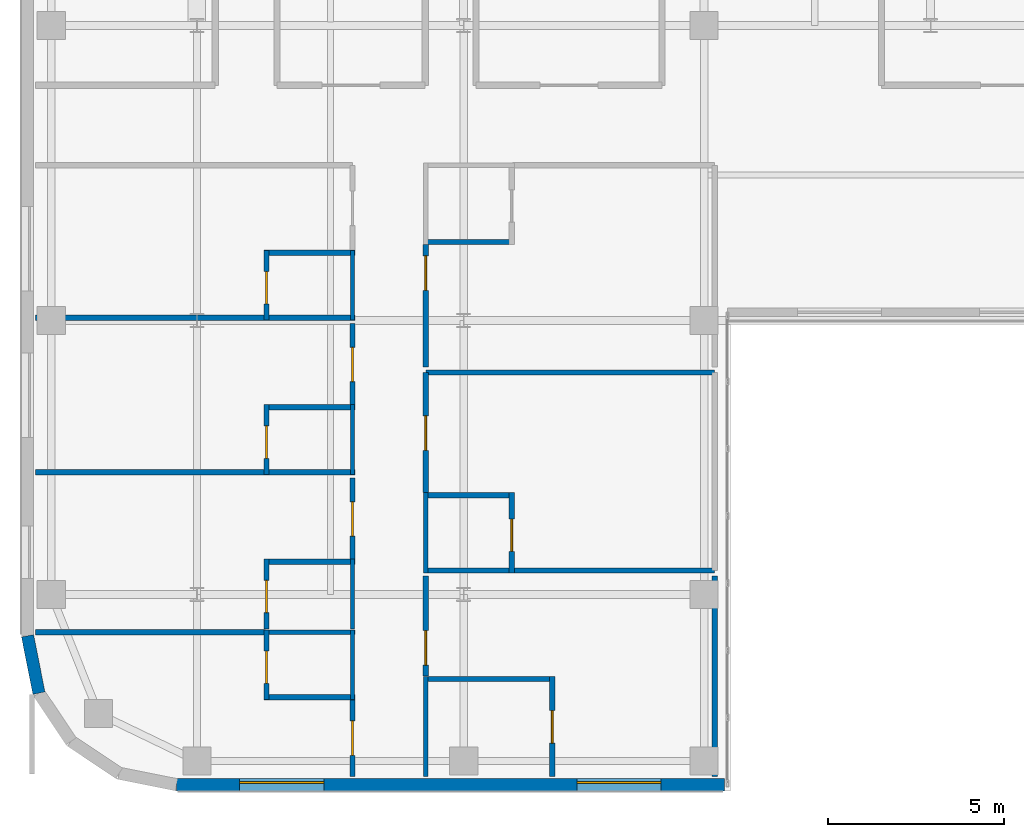
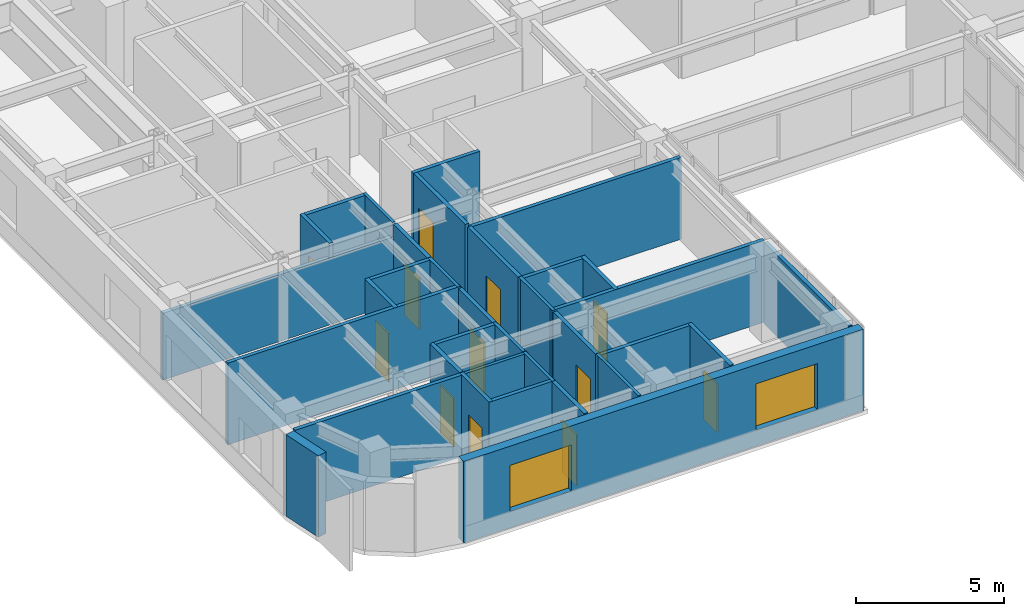
# One storey, part 9 of 20: 34 walls, 12 doors, 2 windows, 14 openings.
"""IFC4 building model written with IfcOpenShell, lengths in metres."""

import ifcopenshell
import ifcopenshell.guid

model = None  # the IFC model being written
_history = None  # IfcOwnerHistory: only IFC2X3 demands one
_inside = {}  # id of a spatial element -> (the spatial element, [elements in it])
_under = {}  # id of a project, library or spatial element -> (it, [spatial elements below it])
_declared = {}  # id of a project -> (the project, [libraries it declares])
_typed = {}  # id of a type object -> (the type object, [elements of that type])
_made_of = {}  # id of a material, layer set ... -> (it, [elements and type objects made of it])


def new_model(schema):
    """Start an empty IFC model of exactly this schema.

    Asked for "IFC4X3", IfcOpenShell would pick the latest addendum, in which some entities
    have other attributes; the version numbers below select the first issue.
    IFC2X3 requires an IfcOwnerHistory on every rooted entity: one is made here for all.
    """
    global model, _history
    if schema == "IFC4X3":
        model = ifcopenshell.file(schema_version=(4, 3, 0, 0))
    else:
        model = ifcopenshell.file(schema=schema)
    _inside.clear()
    _under.clear()
    _declared.clear()
    _typed.clear()
    _made_of.clear()
    _history = None
    if model.schema == "IFC2X3":
        org = make("IfcOrganization", Name="unknown")
        user = make(
            "IfcPersonAndOrganization",
            ThePerson=make("IfcPerson", FamilyName="unknown"),
            TheOrganization=org,
        )
        app = make(
            "IfcApplication",
            ApplicationDeveloper=org,
            Version="unknown",
            ApplicationFullName="unknown",
            ApplicationIdentifier="unknown",
        )
        _history = make(
            "IfcOwnerHistory",
            OwningUser=user,
            OwningApplication=app,
            ChangeAction="ADDED",
            CreationDate=0,
        )
    return model


def make(cls, **values):
    """One entity of the class cls with the attributes given. An attribute that is None is left unset."""
    return model.create_entity(
        cls, **{name: value for name, value in values.items() if value is not None}
    )


def rooted(cls, **values):
    """An entity with a GlobalId (a new one), such as an element, a storey or a relation."""
    return make(cls, GlobalId=ifcopenshell.guid.new(), OwnerHistory=_history, **values)


def si_unit(unit_type, name, prefix=None):
    """IfcSIUnit, for example si_unit("LENGTHUNIT", "METRE", prefix="MILLI")."""
    return make("IfcSIUnit", UnitType=unit_type, Prefix=prefix, Name=name)


def assignment(units):
    """IfcUnitAssignment: the units of a project."""
    return None if units is None else make("IfcUnitAssignment", Units=units)


def point(xyz):
    """IfcCartesianPoint."""
    return None if xyz is None else make("IfcCartesianPoint", Coordinates=xyz)


def direction(xyz):
    """IfcDirection."""
    return None if xyz is None else make("IfcDirection", DirectionRatios=xyz)


def frame(location, z_axis=None, x_axis=None):
    """IfcAxis2Placement3D, a coordinate frame: its origin and axes. An axis left out is left unset."""
    return make(
        "IfcAxis2Placement3D",
        Location=point(location),
        Axis=direction(z_axis),
        RefDirection=direction(x_axis),
    )


def frame_2d(location, x_axis=None):
    """IfcAxis2Placement2D, a coordinate frame in the plane: its origin and x axis."""
    return make(
        "IfcAxis2Placement2D", Location=point(location), RefDirection=direction(x_axis)
    )


def origin():
    """The frame at (0, 0, 0) with its axes left unset."""
    return frame((0.0, 0.0, 0.0))


def place(relative_to, where):
    """IfcLocalPlacement: puts the frame where relative to a parent placement (None: the world)."""
    return make(
        "IfcLocalPlacement", PlacementRelTo=relative_to, RelativePlacement=where
    )


def context(
    kind, dimensions, precision=None, world=None, true_north=None, identifier=None
):
    """IfcGeometricRepresentationContext, for example the 3D "Model" context."""
    return make(
        "IfcGeometricRepresentationContext",
        ContextIdentifier=identifier,
        ContextType=kind,
        CoordinateSpaceDimension=dimensions,
        Precision=precision,
        WorldCoordinateSystem=world,
        TrueNorth=true_north,
    )


def subcontext(parent, identifier, kind, view, scale=None):
    """IfcGeometricRepresentationSubContext, for example "Body" below "Model"."""
    return make(
        "IfcGeometricRepresentationSubContext",
        ContextIdentifier=identifier,
        ContextType=kind,
        ParentContext=parent,
        TargetScale=scale,
        TargetView=view,
    )


def project(units=None, contexts=None):
    """IfcProject with its units and contexts."""
    return rooted(
        "IfcProject",
        Name="project",
        RepresentationContexts=contexts,
        UnitsInContext=assignment(units),
    )


def spatial(cls, under=None, at=None, **own):
    """A site, building, storey or space (cls), placed at a placement, below another one or the project."""
    s = rooted(cls, ObjectPlacement=at, **own)
    if under is not None:
        _under.setdefault(under.id(), (under, []))[1].append(s)
    return s


def profile(cls, at=None, kind="AREA", **sizes):
    """A parametric profile (cls). Its sizes go by their IFC names, for example OverallWidth=200.0."""
    return make(cls, ProfileType=kind, Position=at, **sizes)


def rectangle(**sizes):
    """IfcRectangleProfileDef."""
    return profile("IfcRectangleProfileDef", **sizes)


def extrude(swept, where, along, depth):
    """IfcExtrudedAreaSolid: the profile swept, set in the frame where, extruded along a direction by depth."""
    return make(
        "IfcExtrudedAreaSolid",
        SweptArea=swept,
        Position=where,
        ExtrudedDirection=direction(along),
        Depth=depth,
    )


def shape(context_of_items, identifier, shape_type, items):
    """IfcShapeRepresentation: the items that make up one representation, for example the "Body"."""
    return make(
        "IfcShapeRepresentation",
        ContextOfItems=context_of_items,
        RepresentationIdentifier=identifier,
        RepresentationType=shape_type,
        Items=items,
    )


def source(mapping_origin, context_of_items, identifier, shape_type, items):
    """IfcRepresentationMap: a shape defined once, which mapped items show again and again."""
    return make(
        "IfcRepresentationMap",
        MappingOrigin=mapping_origin,
        MappedRepresentation=shape(context_of_items, identifier, shape_type, items),
    )


def transform(
    local_origin,
    x_axis=None,
    y_axis=None,
    z_axis=None,
    scale=None,
    scale2=None,
    scale3=None,
    uniform=True,
):
    """IfcCartesianTransformationOperator3D, or its non-uniform kind. x_axis, y_axis, z_axis: its Axis1, 2, 3."""
    if uniform:
        return make(
            "IfcCartesianTransformationOperator3D",
            Axis1=direction(x_axis),
            Axis2=direction(y_axis),
            LocalOrigin=point(local_origin),
            Scale=scale,
            Axis3=direction(z_axis),
        )
    return make(
        "IfcCartesianTransformationOperator3DnonUniform",
        Axis1=direction(x_axis),
        Axis2=direction(y_axis),
        LocalOrigin=point(local_origin),
        Scale=scale,
        Axis3=direction(z_axis),
        Scale2=scale2,
        Scale3=scale3,
    )


def mapped(mapping_source, mapping_target):
    """IfcMappedItem: shows the shape of a source again, moved by a transform."""
    return make(
        "IfcMappedItem", MappingSource=mapping_source, MappingTarget=mapping_target
    )


def material(Name=None, Category=None):
    """IfcMaterial."""
    return make("IfcMaterial", Name=Name, Category=Category)


def layer(
    of_material, thickness, ventilated=None, Name=None, Category=None, Priority=None
):
    """IfcMaterialLayer: one layer of a wall or slab, of a material (None: an air gap)."""
    return make(
        "IfcMaterialLayer",
        Material=of_material,
        LayerThickness=thickness,
        IsVentilated=ventilated,
        Name=Name,
        Category=Category,
        Priority=Priority,
    )


def layer_set(layers, Name=None):
    """IfcMaterialLayerSet."""
    return make("IfcMaterialLayerSet", MaterialLayers=layers, LayerSetName=Name)


def made_of(thing, what):
    """Note that an element or type object is made of a material, layer set ...; save() writes the relation."""
    if what is not None:
        _made_of.setdefault(what.id(), (what, []))[1].append(thing)
    return thing


def type_object(cls, material=None, **own):
    """A type object (cls), such as IfcWallType, which elements share."""
    return made_of(rooted(cls, **own), material)


def type_shapes(of_type, sources):
    """Give a type object the sources (RepresentationMaps) that its elements show as mapped items."""
    of_type.RepresentationMaps = sources


def element(
    cls,
    number,
    at=None,
    inside=None,
    cuts=None,
    type_object=None,
    material=None,
    context=None,
    identifier="Body",
    shape_type=None,
    held_by="IfcProductDefinitionShape",
    body=None,
    shapes=None,
    **own,
):
    """One element of the class cls, such as IfcWall. Its Tag is "e" and its number.

    at: its placement. inside: the storey or other place that contains it. cuts: it is an
    opening in that element (IfcRelVoidsElement). A single representation is given by context,
    identifier, shape_type and body (its items); several are given by shapes. held_by: the class
    of the entity that holds the representations. save() writes the other relations.
    """
    e = rooted(cls, Tag="e%d" % number, ObjectPlacement=at, **own)
    if body is not None:
        shapes = [shape(context, identifier, shape_type, body)]
    if shapes is not None:
        e.Representation = make(held_by, Representations=shapes)
    if inside is not None:
        _inside.setdefault(inside.id(), (inside, []))[1].append(e)
    if cuts is not None:
        rooted(
            "IfcRelVoidsElement", RelatingBuildingElement=cuts, RelatedOpeningElement=e
        )
    if type_object is not None:
        _typed.setdefault(type_object.id(), (type_object, []))[1].append(e)
    return made_of(e, material)


def fill(opening, filler):
    """IfcRelFillsElement: the door or window that sits in an opening."""
    return rooted(
        "IfcRelFillsElement",
        RelatingOpeningElement=opening,
        RelatedBuildingElement=filler,
    )


def aggregate(whole, parts):
    """IfcRelAggregates: a whole, such as a stair, and the parts it consists of."""
    return rooted("IfcRelAggregates", RelatingObject=whole, RelatedObjects=parts)


def save(model, path):
    """Write the relations noted so far, then the file.

    IfcRelAggregates (storeys below a building ...), IfcRelContainedInSpatialStructure (elements
    in a storey), IfcRelDefinesByType, IfcRelAssociatesMaterial and IfcRelDeclares: one each for
    every whole, place, type object, material and project.
    """
    for whole, parts in _under.values():
        aggregate(whole, parts)
    for where, things in _inside.values():
        rooted(
            "IfcRelContainedInSpatialStructure",
            RelatedElements=things,
            RelatingStructure=where,
        )
    for kind, things in _typed.values():
        rooted("IfcRelDefinesByType", RelatedObjects=things, RelatingType=kind)
    for what, things in _made_of.values():
        rooted("IfcRelAssociatesMaterial", RelatedObjects=things, RelatingMaterial=what)
    for by, libraries in _declared.values():
        rooted("IfcRelDeclares", RelatingContext=by, RelatedDefinitions=libraries)
    model.write(path)


model = new_model("IFC4")

# Units and contexts
model_context = context("Model", 3, precision=1e-05, world=origin(), true_north=direction((0.0, 1.0)))
body_context = subcontext(model_context, "Body", "Model", "MODEL_VIEW")
ifc_project = project(units=[si_unit("LENGTHUNIT", "METRE"), si_unit("AREAUNIT", "SQUARE_METRE"), si_unit("VOLUMEUNIT", "CUBIC_METRE"), si_unit("PLANEANGLEUNIT", "RADIAN"), si_unit("MASSUNIT", "GRAM", prefix="KILO")], contexts=[model_context])

# Site, building, storey
site_placement = place(None, origin())
site = spatial("IfcSite", under=ifc_project, at=site_placement, CompositionType="ELEMENT")
building_placement = place(site_placement, origin())
building = spatial("IfcBuilding", under=site, at=building_placement, Name="Tolvann Quenvar Hotel", CompositionType="ELEMENT")
storey_placement = place(building_placement, frame((0.0, 0.0, 191.10009765625)))
storey = spatial("IfcBuildingStorey", under=building, at=storey_placement, Name="L50", CompositionType="ELEMENT", Elevation=191.10009765625)

# Wall, openings, windows
ifc_material_1 = material(Name="Kiln-fired red and buff architectural clay brickwork and terracotta masonry", Category="masonry")
ifc_layer_1 = layer(ifc_material_1, 0.35009765625)
ifc_layer_set_1 = layer_set([ifc_layer_1], Name="Kiln-fired red and buff architectural clay brickwork and terracotta masonry")
wall_type_1 = type_object("IfcWallType", Name="WALL_EXT_BRICK_350", PredefinedType="SOLIDWALL", material=ifc_layer_set_1)
wall_1_placement = place(storey_placement, frame((7.01708984375, 2.77490234375, 0.0), z_axis=(0.0, 0.0, 1.0), x_axis=(1.0, 0.0, 0.0)))
wall_1 = element("IfcWall", 1, at=wall_1_placement, inside=storey, type_object=wall_type_1, Name="Exterior Chicago Brick Wall L50-E04", PredefinedType="SOLIDWALL", context=body_context, shape_type="SweptSolid", body=[
    extrude(rectangle(XDim=15.60791015625, YDim=0.35009765625, at=frame_2d((7.803955078125, 0.0))), origin(), (0.0, 0.0, 1.0), 3.369873046875),
])
opening_1_placement = place(wall_1_placement, frame((1.801025390625, 0.0, 0.679931640625)))
opening_1 = element("IfcOpeningElement", 2, at=opening_1_placement, cuts=wall_1, Name="Opening W-01", PredefinedType="OPENING", context=body_context, shape_type="SweptSolid", body=[
    extrude(rectangle(XDim=2.39990234375, YDim=1.89990234375, at=frame_2d((1.199951171875, 0.949951171875))), frame((0.0, 0.18505859375, 0.0), z_axis=(0.0, -1.0, 0.0), x_axis=(1.0, 0.0, 0.0)), (0.0, 0.0, 1.0), 0.3701171875),
])
opening_2_placement = place(wall_1_placement, frame((11.406982421875, 0.0, 0.679931640625)))
opening_2 = element("IfcOpeningElement", 3, at=opening_2_placement, cuts=wall_1, Name="Opening W-01", PredefinedType="OPENING", context=body_context, shape_type="SweptSolid", body=[
    extrude(rectangle(XDim=2.39990234375, YDim=1.89990234375, at=frame_2d((1.199951171875, 0.949951171875))), frame((0.0, 0.18505859375, 0.0), z_axis=(0.0, -1.0, 0.0), x_axis=(1.0, 0.0, 0.0)), (0.0, 0.0, 1.0), 0.3701171875),
])
ifc_material_2 = material(Name="Thermally broken bronze-anodised aluminium frame with double low-E glazing", Category="aluminium")
window_type = type_object("IfcWindowType", Name="WIN_CHI_2400x2050", PartitioningType="TRIPLE_PANEL_HORIZONTAL", PredefinedType="WINDOW", material=ifc_material_2)
shared_shape_1 = source(origin(), body_context, "Body", "SweptSolid", [
    extrude(rectangle(XDim=2.39990234375, YDim=1.89990234375, at=frame_2d((1.199951171875, 0.949951171875))), frame((0.0, 0.090087890625, 0.0), z_axis=(0.0, -1.0, 0.0), x_axis=(1.0, 0.0, 0.0)), (0.0, 0.0, 1.0), 0.06005859375),
])
type_shapes(window_type, [shared_shape_1])
window_1_placement = place(opening_1_placement, origin())
window_1 = element("IfcWindow", 4, at=window_1_placement, inside=storey, type_object=window_type, Name="Chicago Window W-01 (EW-L50-E04-W01)", OverallHeight=1.89990234375, OverallWidth=2.39990234375, PartitioningType="TRIPLE_PANEL_HORIZONTAL", PredefinedType="WINDOW", context=body_context, shape_type="MappedRepresentation", body=[
    mapped(shared_shape_1, transform((0.0, 0.0, 0.0), x_axis=(1.0, 0.0, 0.0), y_axis=(0.0, 1.0, 0.0), z_axis=(0.0, 0.0, 1.0), scale=1.0)),
])
fill(opening_1, window_1)
window_2_placement = place(opening_2_placement, origin())
window_2 = element("IfcWindow", 5, at=window_2_placement, inside=storey, type_object=window_type, Name="Chicago Window W-01 (EW-L50-E04-W02)", OverallHeight=1.89990234375, OverallWidth=2.39990234375, PartitioningType="TRIPLE_PANEL_HORIZONTAL", PredefinedType="WINDOW", context=body_context, shape_type="MappedRepresentation", body=[
    mapped(shared_shape_1, transform((0.0, 0.0, 0.0), x_axis=(1.0, 0.0, 0.0), y_axis=(0.0, 1.0, 0.0), z_axis=(0.0, 0.0, 1.0), scale=1.0)),
])
fill(opening_2, window_2)

# Walls
wall_2_placement = place(storey_placement, frame((2.77490234375, 7.01708984375, 0.0), z_axis=(0.0, 0.0, 1.0), x_axis=(0.195072403631, -0.980788844421, 0.0)))
element("IfcWall", 6, at=wall_2_placement, inside=storey, type_object=wall_type_1, Name="Exterior Chicago Brick Wall L50-E24", PredefinedType="SOLIDWALL", context=body_context, shape_type="SweptSolid", body=[
    extrude(rectangle(XDim=1.66455078125, YDim=0.35009765625, at=frame_2d((0.832275390625, 0.0))), origin(), (0.0, 0.0, 1.0), 3.369873046875),
])
ifc_material_3 = material(Name="Moisture-resistant acoustic plumbing wall assembly")
ifc_layer_2 = layer(ifc_material_3, 0.1201171875)
ifc_layer_set_2 = layer_set([ifc_layer_2], Name="Moisture-resistant acoustic plumbing wall assembly")
wall_type_2 = type_object("IfcWallType", Name="WALL_PART_BATH_120", PredefinedType="PLUMBINGWALL", material=ifc_layer_set_2)
wall_3_placement = place(storey_placement, frame((9.510009765625, 7.1201171875, 0.0), z_axis=(0.0, 0.0, 1.0), x_axis=(1.0, 0.0, 0.0)))
element("IfcWall", 7, at=wall_3_placement, inside=storey, type_object=wall_type_2, Name="Non-Rated Plumbing Partition PT-SPC-L50-ENS-WO01-N", PredefinedType="PLUMBINGWALL", context=body_context, shape_type="SweptSolid", body=[
    extrude(rectangle(XDim=2.590087890625, YDim=0.1201171875, at=frame_2d((1.294921875, 0.0))), origin(), (0.0, 0.0, 1.0), 3.369873046875),
])
for number, where, z_axis, x_axis, name in (
    (8, (12.030029296875, 5.199951171875, 0.0), (0.0, 0.0, 1.0), (0.0, 1.0, 0.0), "Non-Rated Plumbing Partition PT-SPC-L50-ENS-WO01-E"),
    (9, (12.030029296875, 7.2099609375, 0.0), (0.0, 0.0, 1.0), (0.0, 1.0, 0.0), "Non-Rated Plumbing Partition PT-SPC-L50-ENS-WO02-E"),
    (10, (12.030029296875, 11.610107421875, 0.0), (0.0, 0.0, 1.0), (0.0, 1.0, 0.0), "Non-Rated Plumbing Partition PT-SPC-L50-ENS-WO03-E"),
    (11, (12.030029296875, 16.010009765625, 0.0), (0.0, 0.0, 1.0), (0.0, 1.0, 0.0), "Non-Rated Plumbing Partition PT-SPC-L50-ENS-WO04-E"),
):
    element("IfcWall", number, at=place(storey_placement, frame(where, z_axis=z_axis, x_axis=x_axis)), inside=storey, type_object=wall_type_2, Name=name, PredefinedType="PLUMBINGWALL", context=body_context, shape_type="SweptSolid", body=[
        extrude(rectangle(XDim=1.989990234375, YDim=0.1201171875, at=frame_2d((0.9951171875, 0.0))), origin(), (0.0, 0.0, 1.0), 3.369873046875),
    ])
wall_4_placement = place(storey_placement, frame((14.1201171875, 3.0048828125, 0.0), z_axis=(0.0, 0.0, 1.0), x_axis=(0.0, 1.0, 0.0)))
element("IfcWall", 12, at=wall_4_placement, inside=storey, type_object=wall_type_2, Name="Non-Rated Plumbing Partition PT-SPC-L50-ENS-WI01-W", PredefinedType="PLUMBINGWALL", context=body_context, shape_type="SweptSolid", body=[
    extrude(rectangle(XDim=2.85205078125, YDim=0.1201171875, at=frame_2d((1.426025390625, 0.0))), origin(), (0.0, 0.0, 1.0), 3.369873046875),
])
wall_5_placement = place(storey_placement, frame((14.1201171875, 8.81005859375, 0.0), z_axis=(0.0, 0.0, 1.0), x_axis=(0.0, 1.0, 0.0)))
element("IfcWall", 13, at=wall_5_placement, inside=storey, type_object=wall_type_2, Name="Non-Rated Plumbing Partition PT-SPC-L50-ENS-WI02-W", PredefinedType="PLUMBINGWALL", context=body_context, shape_type="SweptSolid", body=[
    extrude(rectangle(XDim=2.282958984375, YDim=0.1201171875, at=frame_2d((1.1416015625, 0.0))), origin(), (0.0, 0.0, 1.0), 3.369873046875),
])

# Wall, opening, door
ifc_material_4 = material(Name="Acoustic twin-stud fire-rated gypsum plasterboard partition")
ifc_layer_3 = layer(ifc_material_4, 0.14990234375)
ifc_layer_set_3 = layer_set([ifc_layer_3], Name="Acoustic twin-stud fire-rated gypsum plasterboard partition")
wall_type_3 = type_object("IfcWallType", Name="WALL_PART_SUITE_150", PredefinedType="PARTITIONING", material=ifc_layer_set_3)
wall_6_placement = place(storey_placement, frame((9.580078125, 5.199951171875, 0.0), z_axis=(0.0, 0.0, 1.0), x_axis=(0.0, 1.0, 0.0)))
wall_6 = element("IfcWall", 14, at=wall_6_placement, inside=storey, type_object=wall_type_3, Name="Interior Partition PT-SPC-L50-ENS-WO01-ENT", PredefinedType="PARTITIONING", context=body_context, shape_type="SweptSolid", body=[
    extrude(rectangle(XDim=1.989990234375, YDim=0.14990234375, at=frame_2d((0.9951171875, 0.0))), origin(), (0.0, 0.0, 1.0), 3.369873046875),
])
opening_3_placement = place(wall_6_placement, frame((0.465087890625, 0.0, 0.0)))
opening_3 = element("IfcOpeningElement", 15, at=opening_3_placement, cuts=wall_6, Name="Opening WD-01", PredefinedType="OPENING", context=body_context, shape_type="SweptSolid", body=[
    extrude(rectangle(XDim=0.919921875, YDim=2.010009765625, at=frame_2d((0.4599609375, 1.0048828125))), frame((0.0, 0.0849609375, 0.0), z_axis=(0.0, -1.0, 0.0), x_axis=(1.0, 0.0, 0.0)), (0.0, 0.0, 1.0), 0.169921875),
])
ifc_material_5 = material(Name="Solid-core American oak acoustic fire door leaf in steel frame", Category="steel")
door_type_1 = type_object("IfcDoorType", Name="DOOR_WC_920", OperationType="NOTDEFINED", PredefinedType="DOOR", material=ifc_material_5)
shared_shape_2 = source(origin(), body_context, "Body", "SweptSolid", [
    extrude(rectangle(XDim=0.919921875, YDim=2.010009765625, at=frame_2d((0.4599609375, 1.0048828125))), frame((0.0, 0.02490234375, 0.0), z_axis=(0.0, -1.0, 0.0), x_axis=(1.0, 0.0, 0.0)), (0.0, 0.0, 1.0), 0.050048828125),
])
type_shapes(door_type_1, [shared_shape_2])
door_1_placement = place(opening_3_placement, origin())
door_1 = element("IfcDoor", 16, at=door_1_placement, inside=storey, type_object=door_type_1, Name="Interior Door DOOR-SPC-L50-ENS-WO01", OperationType="SINGLE_SWING_LEFT", OverallHeight=2.010009765625, OverallWidth=0.919921875, PredefinedType="DOOR", context=body_context, shape_type="MappedRepresentation", body=[
    mapped(shared_shape_2, transform((0.0, 0.0, 0.0), x_axis=(1.0, 0.0, 0.0), y_axis=(0.0, 1.0, 0.0), z_axis=(0.0, 0.0, 1.0), scale=1.0)),
])
fill(opening_3, door_1)

# Wall
wall_7_placement = place(storey_placement, frame((9.510009765625, 5.27001953125, 0.0), z_axis=(0.0, 0.0, 1.0), x_axis=(1.0, 0.0, 0.0)))
element("IfcWall", 17, at=wall_7_placement, inside=storey, type_object=wall_type_3, Name="Interior Partition PT-SPC-L50-ENS-WO01-S", PredefinedType="PARTITIONING", context=body_context, shape_type="SweptSolid", body=[
    extrude(rectangle(XDim=2.590087890625, YDim=0.14990234375, at=frame_2d((1.294921875, 0.0))), origin(), (0.0, 0.0, 1.0), 3.369873046875),
])

# Wall, opening, door
wall_8_placement = place(storey_placement, frame((9.580078125, 7.2099609375, 0.0), z_axis=(0.0, 0.0, 1.0), x_axis=(0.0, 1.0, 0.0)))
wall_8 = element("IfcWall", 18, at=wall_8_placement, inside=storey, type_object=wall_type_3, Name="Interior Partition PT-SPC-L50-ENS-WO02-ENT", PredefinedType="PARTITIONING", context=body_context, shape_type="SweptSolid", body=[
    extrude(rectangle(XDim=1.989990234375, YDim=0.14990234375, at=frame_2d((0.9951171875, 0.0))), origin(), (0.0, 0.0, 1.0), 3.369873046875),
])
opening_4_placement = place(wall_8_placement, frame((0.465087890625, 0.0, 0.0)))
opening_4 = element("IfcOpeningElement", 19, at=opening_4_placement, cuts=wall_8, Name="Opening WD-01", PredefinedType="OPENING", context=body_context, shape_type="SweptSolid", body=[
    extrude(rectangle(XDim=0.919921875, YDim=2.010009765625, at=frame_2d((0.4599609375, 1.0048828125))), frame((0.0, 0.0849609375, 0.0), z_axis=(0.0, -1.0, 0.0), x_axis=(1.0, 0.0, 0.0)), (0.0, 0.0, 1.0), 0.169921875),
])
door_2_placement = place(opening_4_placement, origin())
door_2 = element("IfcDoor", 20, at=door_2_placement, inside=storey, type_object=door_type_1, Name="Interior Door DOOR-SPC-L50-ENS-WO02", OperationType="SINGLE_SWING_RIGHT", OverallHeight=2.010009765625, OverallWidth=0.919921875, PredefinedType="DOOR", context=body_context, shape_type="MappedRepresentation", body=[
    mapped(shared_shape_2, transform((0.0, 0.0, 0.0), x_axis=(1.0, 0.0, 0.0), y_axis=(0.0, 1.0, 0.0), z_axis=(0.0, 0.0, 1.0), scale=1.0)),
])
fill(opening_4, door_2)

# Wall
wall_9_placement = place(storey_placement, frame((9.510009765625, 9.1298828125, 0.0), z_axis=(0.0, 0.0, 1.0), x_axis=(1.0, 0.0, 0.0)))
element("IfcWall", 21, at=wall_9_placement, inside=storey, type_object=wall_type_3, Name="Interior Partition PT-SPC-L50-ENS-WO02-N", PredefinedType="PARTITIONING", context=body_context, shape_type="SweptSolid", body=[
    extrude(rectangle(XDim=2.590087890625, YDim=0.14990234375, at=frame_2d((1.294921875, 0.0))), origin(), (0.0, 0.0, 1.0), 3.369873046875),
])

# Wall, opening, door
wall_10_placement = place(storey_placement, frame((9.580078125, 11.610107421875, 0.0), z_axis=(0.0, 0.0, 1.0), x_axis=(0.0, 1.0, 0.0)))
wall_10 = element("IfcWall", 22, at=wall_10_placement, inside=storey, type_object=wall_type_3, Name="Interior Partition PT-SPC-L50-ENS-WO03-ENT", PredefinedType="PARTITIONING", context=body_context, shape_type="SweptSolid", body=[
    extrude(rectangle(XDim=1.989990234375, YDim=0.14990234375, at=frame_2d((0.9951171875, 0.0))), origin(), (0.0, 0.0, 1.0), 3.369873046875),
])
opening_5_placement = place(wall_10_placement, frame((0.465087890625, 0.0, 0.0)))
opening_5 = element("IfcOpeningElement", 23, at=opening_5_placement, cuts=wall_10, Name="Opening WD-01", PredefinedType="OPENING", context=body_context, shape_type="SweptSolid", body=[
    extrude(rectangle(XDim=0.919921875, YDim=2.010009765625, at=frame_2d((0.4599609375, 1.0048828125))), frame((0.0, 0.0849609375, 0.0), z_axis=(0.0, -1.0, 0.0), x_axis=(1.0, 0.0, 0.0)), (0.0, 0.0, 1.0), 0.169921875),
])
door_3_placement = place(opening_5_placement, origin())
door_3 = element("IfcDoor", 24, at=door_3_placement, inside=storey, type_object=door_type_1, Name="Interior Door DOOR-SPC-L50-ENS-WO03", OperationType="SINGLE_SWING_LEFT", OverallHeight=2.010009765625, OverallWidth=0.919921875, PredefinedType="DOOR", context=body_context, shape_type="MappedRepresentation", body=[
    mapped(shared_shape_2, transform((0.0, 0.0, 0.0), x_axis=(1.0, 0.0, 0.0), y_axis=(0.0, 1.0, 0.0), z_axis=(0.0, 0.0, 1.0), scale=1.0)),
])
fill(opening_5, door_3)

# Walls
wall_11_placement = place(storey_placement, frame((3.0048828125, 11.679931640625, 0.0), z_axis=(0.0, 0.0, 1.0), x_axis=(1.0, 0.0, 0.0)))
element("IfcWall", 25, at=wall_11_placement, inside=storey, type_object=wall_type_3, Name="Interior Partition PT-SPC-L50-ENS-WO03-S", PredefinedType="PARTITIONING", context=body_context, shape_type="SweptSolid", body=[
    extrude(rectangle(XDim=9.09521484375, YDim=0.14990234375, at=frame_2d((4.547607421875, 0.0))), origin(), (0.0, 0.0, 1.0), 3.369873046875),
])
wall_12_placement = place(storey_placement, frame((9.510009765625, 13.530029296875, 0.0), z_axis=(0.0, 0.0, 1.0), x_axis=(1.0, 0.0, 0.0)))
element("IfcWall", 26, at=wall_12_placement, inside=storey, type_object=wall_type_3, Name="Interior Partition PT-SPC-L50-ENS-WO03-N", PredefinedType="PARTITIONING", context=body_context, shape_type="SweptSolid", body=[
    extrude(rectangle(XDim=2.590087890625, YDim=0.14990234375, at=frame_2d((1.294921875, 0.0))), origin(), (0.0, 0.0, 1.0), 3.369873046875),
])

# Wall, opening, door
wall_13_placement = place(storey_placement, frame((9.580078125, 16.010009765625, 0.0), z_axis=(0.0, 0.0, 1.0), x_axis=(0.0, 1.0, 0.0)))
wall_13 = element("IfcWall", 27, at=wall_13_placement, inside=storey, type_object=wall_type_3, Name="Interior Partition PT-SPC-L50-ENS-WO04-ENT", PredefinedType="PARTITIONING", context=body_context, shape_type="SweptSolid", body=[
    extrude(rectangle(XDim=1.989990234375, YDim=0.14990234375, at=frame_2d((0.9951171875, 0.0))), origin(), (0.0, 0.0, 1.0), 3.369873046875),
])
opening_6_placement = place(wall_13_placement, frame((0.465087890625, 0.0, 0.0)))
opening_6 = element("IfcOpeningElement", 28, at=opening_6_placement, cuts=wall_13, Name="Opening WD-01", PredefinedType="OPENING", context=body_context, shape_type="SweptSolid", body=[
    extrude(rectangle(XDim=0.919921875, YDim=2.010009765625, at=frame_2d((0.4599609375, 1.0048828125))), frame((0.0, 0.0849609375, 0.0), z_axis=(0.0, -1.0, 0.0), x_axis=(1.0, 0.0, 0.0)), (0.0, 0.0, 1.0), 0.169921875),
])
door_4_placement = place(opening_6_placement, origin())
door_4 = element("IfcDoor", 29, at=door_4_placement, inside=storey, type_object=door_type_1, Name="Interior Door DOOR-SPC-L50-ENS-WO04", OperationType="SINGLE_SWING_RIGHT", OverallHeight=2.010009765625, OverallWidth=0.919921875, PredefinedType="DOOR", context=body_context, shape_type="MappedRepresentation", body=[
    mapped(shared_shape_2, transform((0.0, 0.0, 0.0), x_axis=(1.0, 0.0, 0.0), y_axis=(0.0, 1.0, 0.0), z_axis=(0.0, 0.0, 1.0), scale=1.0)),
])
fill(opening_6, door_4)

# Walls
wall_14_placement = place(storey_placement, frame((3.0048828125, 16.080078125, 0.0), z_axis=(0.0, 0.0, 1.0), x_axis=(1.0, 0.0, 0.0)))
element("IfcWall", 30, at=wall_14_placement, inside=storey, type_object=wall_type_3, Name="Interior Partition PT-SPC-L50-ENS-WO04-S", PredefinedType="PARTITIONING", context=body_context, shape_type="SweptSolid", body=[
    extrude(rectangle(XDim=9.09521484375, YDim=0.14990234375, at=frame_2d((4.547607421875, 0.0))), origin(), (0.0, 0.0, 1.0), 2.7578125),
])
wall_15_placement = place(storey_placement, frame((9.510009765625, 17.929931640625, 0.0), z_axis=(0.0, 0.0, 1.0), x_axis=(1.0, 0.0, 0.0)))
element("IfcWall", 31, at=wall_15_placement, inside=storey, type_object=wall_type_3, Name="Interior Partition PT-SPC-L50-ENS-WO04-N", PredefinedType="PARTITIONING", context=body_context, shape_type="SweptSolid", body=[
    extrude(rectangle(XDim=2.590087890625, YDim=0.14990234375, at=frame_2d((1.294921875, 0.0))), origin(), (0.0, 0.0, 1.0), 3.369873046875),
])

# Wall, opening, door
wall_16_placement = place(storey_placement, frame((17.719970703125, 3.0048828125, 0.0), z_axis=(0.0, 0.0, 1.0), x_axis=(0.0, 1.0, 0.0)))
wall_16 = element("IfcWall", 32, at=wall_16_placement, inside=storey, type_object=wall_type_3, Name="Interior Partition PT-SPC-L50-ENS-WI01-ENT", PredefinedType="PARTITIONING", context=body_context, shape_type="SweptSolid", body=[
    extrude(rectangle(XDim=2.85205078125, YDim=0.14990234375, at=frame_2d((1.426025390625, 0.0))), origin(), (0.0, 0.0, 1.0), 3.369873046875),
])
opening_7_placement = place(wall_16_placement, frame((0.95849609375, 0.0, 0.0)))
opening_7 = element("IfcOpeningElement", 33, at=opening_7_placement, cuts=wall_16, Name="Opening WD-01", PredefinedType="OPENING", context=body_context, shape_type="SweptSolid", body=[
    extrude(rectangle(XDim=0.919921875, YDim=2.010009765625, at=frame_2d((0.4599609375, 1.0048828125))), frame((0.0, 0.0849609375, 0.0), z_axis=(0.0, -1.0, 0.0), x_axis=(1.0, 0.0, 0.0)), (0.0, 0.0, 1.0), 0.169921875),
])
door_5_placement = place(opening_7_placement, origin())
door_5 = element("IfcDoor", 34, at=door_5_placement, inside=storey, type_object=door_type_1, Name="Interior Door DOOR-SPC-L50-ENS-WI01", OperationType="SINGLE_SWING_LEFT", OverallHeight=2.010009765625, OverallWidth=0.919921875, PredefinedType="DOOR", context=body_context, shape_type="MappedRepresentation", body=[
    mapped(shared_shape_2, transform((0.0, 0.0, 0.0), x_axis=(1.0, 0.0, 0.0), y_axis=(0.0, 1.0, 0.0), z_axis=(0.0, 0.0, 1.0), scale=1.0)),
])
fill(opening_7, door_5)

# Wall
wall_17_placement = place(storey_placement, frame((14.050048828125, 5.787109375, 0.0), z_axis=(0.0, 0.0, 1.0), x_axis=(1.0, 0.0, 0.0)))
element("IfcWall", 35, at=wall_17_placement, inside=storey, type_object=wall_type_3, Name="Interior Partition PT-SPC-L50-ENS-WI01-N", PredefinedType="PARTITIONING", context=body_context, shape_type="SweptSolid", body=[
    extrude(rectangle(XDim=3.739990234375, YDim=0.14990234375, at=frame_2d((1.8701171875, 0.0))), origin(), (0.0, 0.0, 1.0), 3.369873046875),
])

# Wall, opening, door
wall_18_placement = place(storey_placement, frame((16.570068359375, 8.81005859375, 0.0), z_axis=(0.0, 0.0, 1.0), x_axis=(0.0, 1.0, 0.0)))
wall_18 = element("IfcWall", 36, at=wall_18_placement, inside=storey, type_object=wall_type_3, Name="Interior Partition PT-SPC-L50-ENS-WI02-ENT", PredefinedType="PARTITIONING", context=body_context, shape_type="SweptSolid", body=[
    extrude(rectangle(XDim=2.282958984375, YDim=0.14990234375, at=frame_2d((1.1416015625, 0.0))), origin(), (0.0, 0.0, 1.0), 3.369873046875),
])
opening_8_placement = place(wall_18_placement, frame((0.611572265625, 0.0, 0.0)))
opening_8 = element("IfcOpeningElement", 37, at=opening_8_placement, cuts=wall_18, Name="Opening WD-01", PredefinedType="OPENING", context=body_context, shape_type="SweptSolid", body=[
    extrude(rectangle(XDim=0.919921875, YDim=2.010009765625, at=frame_2d((0.4599609375, 1.0048828125))), frame((0.0, 0.0849609375, 0.0), z_axis=(0.0, -1.0, 0.0), x_axis=(1.0, 0.0, 0.0)), (0.0, 0.0, 1.0), 0.169921875),
])
door_6_placement = place(opening_8_placement, origin())
door_6 = element("IfcDoor", 38, at=door_6_placement, inside=storey, type_object=door_type_1, Name="Interior Door DOOR-SPC-L50-ENS-WI02", OperationType="SINGLE_SWING_RIGHT", OverallHeight=2.010009765625, OverallWidth=0.919921875, PredefinedType="DOOR", context=body_context, shape_type="MappedRepresentation", body=[
    mapped(shared_shape_2, transform((0.0, 0.0, 0.0), x_axis=(1.0, 0.0, 0.0), y_axis=(0.0, 1.0, 0.0), z_axis=(0.0, 0.0, 1.0), scale=1.0)),
])
fill(opening_8, door_6)

# Walls
wall_19_placement = place(storey_placement, frame((14.050048828125, 8.8798828125, 0.0), z_axis=(0.0, 0.0, 1.0), x_axis=(1.0, 0.0, 0.0)))
element("IfcWall", 39, at=wall_19_placement, inside=storey, type_object=wall_type_3, Name="Interior Partition PT-SPC-L50-ENS-WI02-S", PredefinedType="PARTITIONING", context=body_context, shape_type="SweptSolid", body=[
    extrude(rectangle(XDim=8.300048828125, YDim=0.14990234375, at=frame_2d((4.14990234375, 0.0))), origin(), (0.0, 0.0, 1.0), 3.369873046875),
])
for number, where, z_axis, x_axis, name in (
    (40, (14.050048828125, 11.02294921875, 0.0), (0.0, 0.0, 1.0), (1.0, 0.0, 0.0), "Interior Partition PT-SPC-L50-ENS-WI02-N"),
    (41, (14.050048828125, 18.239013671875, 0.0), (0.0, 0.0, 1.0), (1.0, 0.0, 0.0), "Interior Partition PT-SPC-L50-ENS-WI03-S"),
):
    element("IfcWall", number, at=place(storey_placement, frame(where, z_axis=z_axis, x_axis=x_axis)), inside=storey, type_object=wall_type_3, Name=name, PredefinedType="PARTITIONING", context=body_context, shape_type="SweptSolid", body=[
        extrude(rectangle(XDim=2.58984375, YDim=0.14990234375, at=frame_2d((1.294921875, 0.0))), origin(), (0.0, 0.0, 1.0), 3.369873046875),
    ])

# Wall, opening, door
wall_20_placement = place(storey_placement, frame((12.030029296875, 3.0048828125, 0.0), z_axis=(0.0, 0.0, 1.0), x_axis=(0.0, 1.0, 0.0)))
wall_20 = element("IfcWall", 42, at=wall_20_placement, inside=storey, type_object=wall_type_3, Name="Interior Partition PT-SPC-L50-RM-WO01-ENT", PredefinedType="PARTITIONING", context=body_context, shape_type="SweptSolid", body=[
    extrude(rectangle(XDim=2.18505859375, YDim=0.14990234375, at=frame_2d((1.092529296875, 0.0))), origin(), (0.0, 0.0, 1.0), 3.369873046875),
])
opening_9_placement = place(wall_20_placement, frame((0.610107421875, 0.0, 0.0)))
opening_9 = element("IfcOpeningElement", 43, at=opening_9_placement, cuts=wall_20, Name="Opening SD-01", PredefinedType="OPENING", context=body_context, shape_type="SweptSolid", body=[
    extrude(rectangle(XDim=0.97998046875, YDim=2.1201171875, at=frame_2d((0.489990234375, 1.06005859375))), frame((0.0, 0.0849609375, 0.0), z_axis=(0.0, -1.0, 0.0), x_axis=(1.0, 0.0, 0.0)), (0.0, 0.0, 1.0), 0.169921875),
])
door_type_2 = type_object("IfcDoorType", Name="DOOR_SUITE_980", OperationType="NOTDEFINED", PredefinedType="DOOR", material=ifc_material_5)
shared_shape_3 = source(origin(), body_context, "Body", "SweptSolid", [
    extrude(rectangle(XDim=0.97998046875, YDim=2.1201171875, at=frame_2d((0.489990234375, 1.06005859375))), frame((0.0, 0.02490234375, 0.0), z_axis=(0.0, -1.0, 0.0), x_axis=(1.0, 0.0, 0.0)), (0.0, 0.0, 1.0), 0.050048828125),
])
type_shapes(door_type_2, [shared_shape_3])
door_7_placement = place(opening_9_placement, origin())
door_7 = element("IfcDoor", 44, at=door_7_placement, inside=storey, type_object=door_type_2, Name="Interior Door DOOR-SPC-L50-RM-WO01", OperationType="SINGLE_SWING_LEFT", OverallHeight=2.1201171875, OverallWidth=0.97998046875, PredefinedType="DOOR", context=body_context, shape_type="MappedRepresentation", body=[
    mapped(shared_shape_3, transform((0.0, 0.0, 0.0), x_axis=(1.0, 0.0, 0.0), y_axis=(0.0, 1.0, 0.0), z_axis=(0.0, 0.0, 1.0), scale=1.0)),
])
fill(opening_9, door_7)

# Wall
wall_21_placement = place(storey_placement, frame((3.0048828125, 7.1201171875, 0.0), z_axis=(0.0, 0.0, 1.0), x_axis=(1.0, 0.0, 0.0)))
element("IfcWall", 45, at=wall_21_placement, inside=storey, type_object=wall_type_3, Name="Interior Partition PT-SPC-L50-RM-WO01-E5", PredefinedType="PARTITIONING", context=body_context, shape_type="SweptSolid", body=[
    extrude(rectangle(XDim=6.55517578125, YDim=0.14990234375, at=frame_2d((3.277587890625, 0.0))), origin(), (0.0, 0.0, 1.0), 3.369873046875),
])

# Wall, opening, door
wall_22_placement = place(storey_placement, frame((12.030029296875, 9.2099609375, 0.0), z_axis=(0.0, 0.0, 1.0), x_axis=(0.0, 1.0, 0.0)))
wall_22 = element("IfcWall", 46, at=wall_22_placement, inside=storey, type_object=wall_type_3, Name="Interior Partition PT-SPC-L50-RM-WO02-ENT", PredefinedType="PARTITIONING", context=body_context, shape_type="SweptSolid", body=[
    extrude(rectangle(XDim=2.31005859375, YDim=0.14990234375, at=frame_2d((1.155029296875, 0.0))), origin(), (0.0, 0.0, 1.0), 3.369873046875),
])
opening_10_placement = place(wall_22_placement, frame((0.64501953125, 0.0, 0.0)))
opening_10 = element("IfcOpeningElement", 47, at=opening_10_placement, cuts=wall_22, Name="Opening SD-01", PredefinedType="OPENING", context=body_context, shape_type="SweptSolid", body=[
    extrude(rectangle(XDim=0.97998046875, YDim=2.1201171875, at=frame_2d((0.489990234375, 1.06005859375))), frame((0.0, 0.0849609375, 0.0), z_axis=(0.0, -1.0, 0.0), x_axis=(1.0, 0.0, 0.0)), (0.0, 0.0, 1.0), 0.169921875),
])
door_8_placement = place(opening_10_placement, origin())
door_8 = element("IfcDoor", 48, at=door_8_placement, inside=storey, type_object=door_type_2, Name="Interior Door DOOR-SPC-L50-RM-WO02", OperationType="SINGLE_SWING_RIGHT", OverallHeight=2.1201171875, OverallWidth=0.97998046875, PredefinedType="DOOR", context=body_context, shape_type="MappedRepresentation", body=[
    mapped(shared_shape_3, transform((0.0, 0.0, 0.0), x_axis=(1.0, 0.0, 0.0), y_axis=(0.0, 1.0, 0.0), z_axis=(0.0, 0.0, 1.0), scale=1.0)),
])
fill(opening_10, door_8)

wall_23_placement = place(storey_placement, frame((12.030029296875, 13.610107421875, 0.0), z_axis=(0.0, 0.0, 1.0), x_axis=(0.0, 1.0, 0.0)))
wall_23 = element("IfcWall", 49, at=wall_23_placement, inside=storey, type_object=wall_type_3, Name="Interior Partition PT-SPC-L50-RM-WO03-ENT", PredefinedType="PARTITIONING", context=body_context, shape_type="SweptSolid", body=[
    extrude(rectangle(XDim=2.309814453125, YDim=0.14990234375, at=frame_2d((1.15478515625, 0.0))), origin(), (0.0, 0.0, 1.0), 3.369873046875),
])
opening_11_placement = place(wall_23_placement, frame((0.64501953125, 0.0, 0.0)))
opening_11 = element("IfcOpeningElement", 50, at=opening_11_placement, cuts=wall_23, Name="Opening SD-01", PredefinedType="OPENING", context=body_context, shape_type="SweptSolid", body=[
    extrude(rectangle(XDim=0.97998046875, YDim=2.1201171875, at=frame_2d((0.489990234375, 1.06005859375))), frame((0.0, 0.0849609375, 0.0), z_axis=(0.0, -1.0, 0.0), x_axis=(1.0, 0.0, 0.0)), (0.0, 0.0, 1.0), 0.169921875),
])
door_9_placement = place(opening_11_placement, origin())
door_9 = element("IfcDoor", 51, at=door_9_placement, inside=storey, type_object=door_type_2, Name="Interior Door DOOR-SPC-L50-RM-WO03", OperationType="SINGLE_SWING_LEFT", OverallHeight=2.1201171875, OverallWidth=0.97998046875, PredefinedType="DOOR", context=body_context, shape_type="MappedRepresentation", body=[
    mapped(shared_shape_3, transform((0.0, 0.0, 0.0), x_axis=(1.0, 0.0, 0.0), y_axis=(0.0, 1.0, 0.0), z_axis=(0.0, 0.0, 1.0), scale=1.0)),
])
fill(opening_11, door_9)

wall_24_placement = place(storey_placement, frame((14.1201171875, 5.866943359375, 0.0), z_axis=(0.0, 0.0, 1.0), x_axis=(0.0, 1.0, 0.0)))
wall_24 = element("IfcWall", 52, at=wall_24_placement, inside=storey, type_object=wall_type_3, Name="Interior Partition PT-SPC-L50-RM-WI01-ENT", PredefinedType="PARTITIONING", context=body_context, shape_type="SweptSolid", body=[
    extrude(rectangle(XDim=2.85302734375, YDim=0.14990234375, at=frame_2d((1.426513671875, 0.0))), origin(), (0.0, 0.0, 1.0), 3.369873046875),
])
opening_12_placement = place(wall_24_placement, frame((0.31640625, 0.0, 0.0)))
opening_12 = element("IfcOpeningElement", 53, at=opening_12_placement, cuts=wall_24, Name="Opening SD-01", PredefinedType="OPENING", context=body_context, shape_type="SweptSolid", body=[
    extrude(rectangle(XDim=0.97998046875, YDim=2.1201171875, at=frame_2d((0.489990234375, 1.06005859375))), frame((0.0, 0.0849609375, 0.0), z_axis=(0.0, -1.0, 0.0), x_axis=(1.0, 0.0, 0.0)), (0.0, 0.0, 1.0), 0.169921875),
])
door_10_placement = place(opening_12_placement, origin())
door_10 = element("IfcDoor", 54, at=door_10_placement, inside=storey, type_object=door_type_2, Name="Interior Door DOOR-SPC-L50-RM-WI01", OperationType="SINGLE_SWING_LEFT", OverallHeight=2.1201171875, OverallWidth=0.97998046875, PredefinedType="DOOR", context=body_context, shape_type="MappedRepresentation", body=[
    mapped(shared_shape_3, transform((0.0, 0.0, 0.0), x_axis=(1.0, 0.0, 0.0), y_axis=(0.0, 1.0, 0.0), z_axis=(0.0, 0.0, 1.0), scale=1.0)),
])
fill(opening_12, door_10)

# Wall
wall_25_placement = place(storey_placement, frame((22.35009765625, 3.0048828125, 0.0), z_axis=(0.0, 0.0, 1.0), x_axis=(0.0, 1.0, 0.0)))
element("IfcWall", 55, at=wall_25_placement, inside=storey, type_object=wall_type_3, Name="Interior Partition PT-SPC-L50-RM-WI01-E4", PredefinedType="PARTITIONING", context=body_context, shape_type="SweptSolid", body=[
    extrude(rectangle(XDim=5.715087890625, YDim=0.14990234375, at=frame_2d((2.857421875, 0.0))), origin(), (0.0, 0.0, 1.0), 3.369873046875),
])

# Wall, opening, door
wall_26_placement = place(storey_placement, frame((14.1201171875, 11.10302734375, 0.0), z_axis=(0.0, 0.0, 1.0), x_axis=(0.0, 1.0, 0.0)))
wall_26 = element("IfcWall", 56, at=wall_26_placement, inside=storey, type_object=wall_type_3, Name="Interior Partition PT-SPC-L50-RM-WI02-ENT", PredefinedType="PARTITIONING", context=body_context, shape_type="SweptSolid", body=[
    extrude(rectangle(XDim=3.4169921875, YDim=0.14990234375, at=frame_2d((1.70849609375, 0.0))), origin(), (0.0, 0.0, 1.0), 3.369873046875),
])
opening_13_placement = place(wall_26_placement, frame((1.198486328125, 0.0, 0.0)))
opening_13 = element("IfcOpeningElement", 57, at=opening_13_placement, cuts=wall_26, Name="Opening SD-01", PredefinedType="OPENING", context=body_context, shape_type="SweptSolid", body=[
    extrude(rectangle(XDim=0.97998046875, YDim=2.1201171875, at=frame_2d((0.489990234375, 1.06005859375))), frame((0.0, 0.0849609375, 0.0), z_axis=(0.0, -1.0, 0.0), x_axis=(1.0, 0.0, 0.0)), (0.0, 0.0, 1.0), 0.169921875),
])
door_11_placement = place(opening_13_placement, origin())
door_11 = element("IfcDoor", 58, at=door_11_placement, inside=storey, type_object=door_type_2, Name="Interior Door DOOR-SPC-L50-RM-WI02", OperationType="SINGLE_SWING_RIGHT", OverallHeight=2.1201171875, OverallWidth=0.97998046875, PredefinedType="DOOR", context=body_context, shape_type="MappedRepresentation", body=[
    mapped(shared_shape_3, transform((0.0, 0.0, 0.0), x_axis=(1.0, 0.0, 0.0), y_axis=(0.0, 1.0, 0.0), z_axis=(0.0, 0.0, 1.0), scale=1.0)),
])
fill(opening_13, door_11)

# Wall
wall_27_placement = place(storey_placement, frame((14.1201171875, 14.52001953125, 0.0), z_axis=(0.0, 0.0, 1.0), x_axis=(1.0, 0.0, 0.0)))
element("IfcWall", 59, at=wall_27_placement, inside=storey, type_object=wall_type_3, Name="Interior Partition PT-SPC-L50-RM-WI02-E5", PredefinedType="PARTITIONING", context=body_context, shape_type="SweptSolid", body=[
    extrude(rectangle(XDim=8.22998046875, YDim=0.14990234375, at=frame_2d((4.114990234375, 0.0))), origin(), (0.0, 0.0, 1.0), 3.369873046875),
])

# Wall, opening, door
wall_28_placement = place(storey_placement, frame((14.1201171875, 14.679931640625, 0.0), z_axis=(0.0, 0.0, 1.0), x_axis=(0.0, 1.0, 0.0)))
wall_28 = element("IfcWall", 60, at=wall_28_placement, inside=storey, type_object=wall_type_3, Name="Interior Partition PT-SPC-L50-RM-WI03-ENT", PredefinedType="PARTITIONING", context=body_context, shape_type="SweptSolid", body=[
    extrude(rectangle(XDim=3.47900390625, YDim=0.14990234375, at=frame_2d((1.739501953125, 0.0))), origin(), (0.0, 0.0, 1.0), 3.369873046875),
])
opening_14_placement = place(wall_28_placement, frame((2.179443359375, 0.0, 0.0)))
opening_14 = element("IfcOpeningElement", 61, at=opening_14_placement, cuts=wall_28, Name="Opening SD-01", PredefinedType="OPENING", context=body_context, shape_type="SweptSolid", body=[
    extrude(rectangle(XDim=0.97998046875, YDim=2.1201171875, at=frame_2d((0.489990234375, 1.06005859375))), frame((0.0, 0.0849609375, 0.0), z_axis=(0.0, -1.0, 0.0), x_axis=(1.0, 0.0, 0.0)), (0.0, 0.0, 1.0), 0.169921875),
])
door_12_placement = place(opening_14_placement, origin())
door_12 = element("IfcDoor", 62, at=door_12_placement, inside=storey, type_object=door_type_2, Name="Interior Door DOOR-SPC-L50-RM-WI03", OperationType="SINGLE_SWING_LEFT", OverallHeight=2.1201171875, OverallWidth=0.97998046875, PredefinedType="DOOR", context=body_context, shape_type="MappedRepresentation", body=[
    mapped(shared_shape_3, transform((0.0, 0.0, 0.0), x_axis=(1.0, 0.0, 0.0), y_axis=(0.0, 1.0, 0.0), z_axis=(0.0, 0.0, 1.0), scale=1.0)),
])
fill(opening_14, door_12)

save(model, "model.ifc")
